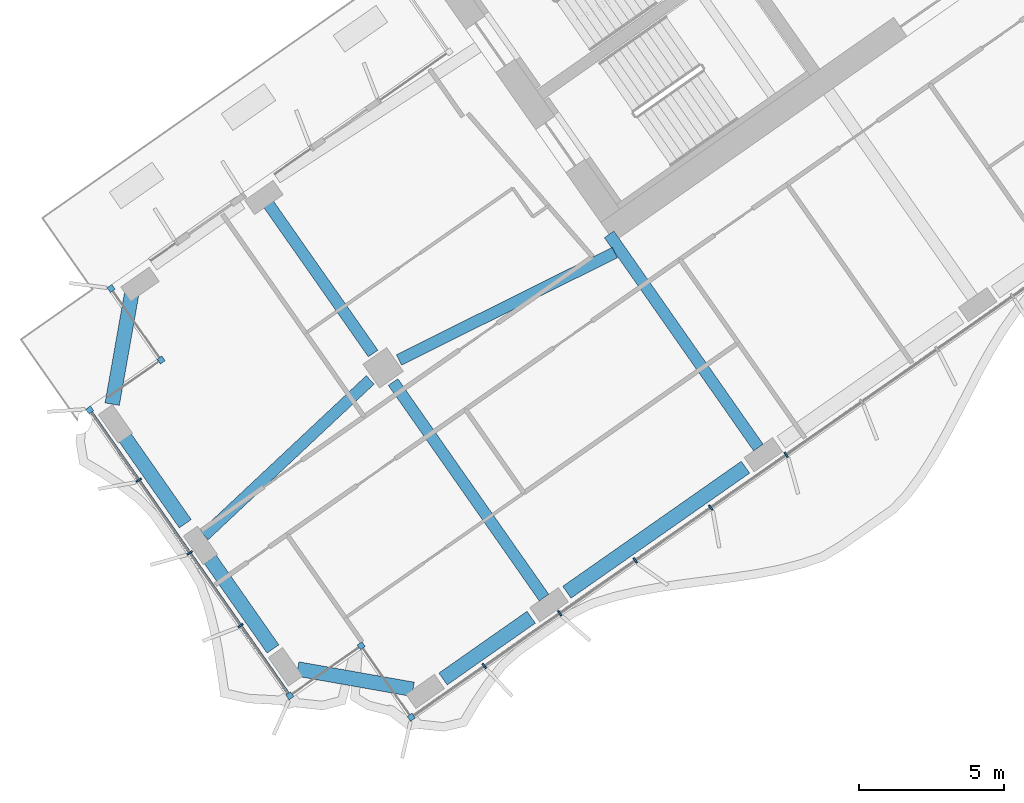
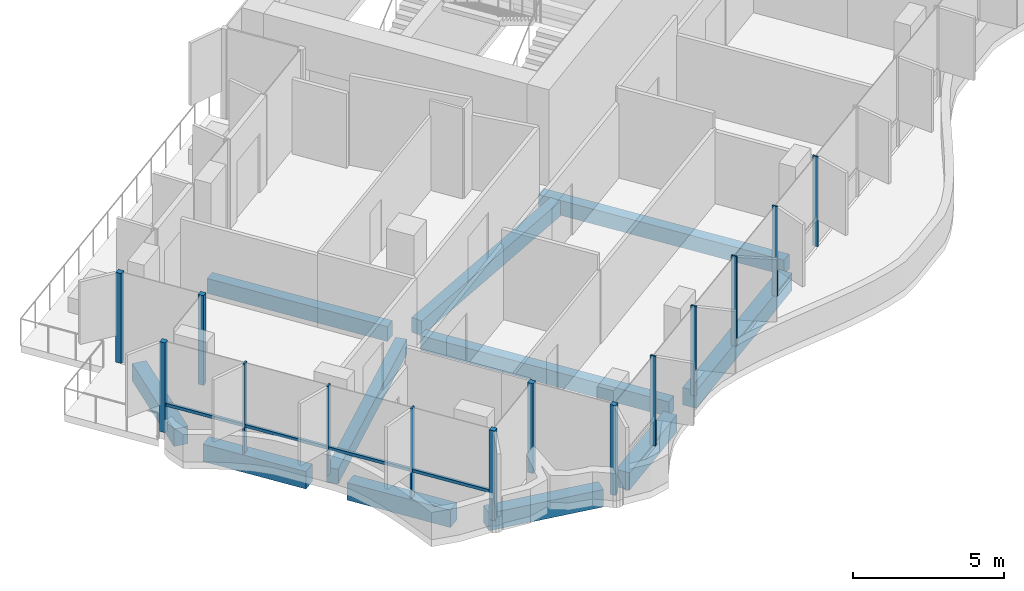
# One storey, part 2 of 24: 15 members, 11 beams, 1 element without a shape of its own.
"""IFC4 building model written with IfcOpenShell, lengths in metres."""

from ifc_helpers import new_model, si_unit, direction, frame, origin, origin_2d, place, context, subcontext, project, spatial, rectangle, extrude, material, material_profile, profile_set, type_object, element, aggregate, save


model = new_model("IFC4")

# Units and contexts
model_context = context("Model", 3, precision=1e-05, world=origin(), true_north=direction((0.0, 1.0)))
body_context = subcontext(model_context, "Body", "Model", "MODEL_VIEW")
ifc_project = project(units=[si_unit("LENGTHUNIT", "METRE"), si_unit("AREAUNIT", "SQUARE_METRE"), si_unit("VOLUMEUNIT", "CUBIC_METRE"), si_unit("PLANEANGLEUNIT", "RADIAN"), si_unit("MASSUNIT", "GRAM", prefix="KILO")], contexts=[model_context])

# Site, building, storey
site_placement = place(None, origin())
site = spatial("IfcSite", under=ifc_project, at=site_placement, CompositionType="ELEMENT")
building_placement = place(site_placement, origin())
building = spatial("IfcBuilding", under=site, at=building_placement, Name="Tel Ilan Convention Tower", CompositionType="ELEMENT")
storey_placement = place(building_placement, frame((0.0, 0.0, 132.0)))
storey = spatial("IfcBuildingStorey", under=building, at=storey_placement, Name="L29", CompositionType="ELEMENT", Elevation=132.0)

# Beams
ifc_material_1 = material(Name="Concrete C40/50", Category="concrete")
ifc_material_profile_1 = material_profile(ifc_material_1, rectangle(XDim=0.39990234375, YDim=0.60009765625, at=origin_2d()), Name="RC 400x600")
ifc_profile_set_1 = profile_set([ifc_material_profile_1], Name="Concrete C40/50")
beam_type_1 = type_object("IfcBeamType", Name="Beam RC 400x600 Concrete C40/50", PredefinedType="BEAM", material=ifc_profile_set_1)
beam_1_placement = place(storey_placement, frame((-16.58203125, -23.391357421875, -0.580078125), z_axis=(-0.573584999642, 0.819146048141, 0.0), x_axis=(-0.819146048141, -0.573584999642, 0.0)))
element("IfcBeam", 1, at=beam_1_placement, inside=storey, type_object=beam_type_1, Name="L29 beam W-W-F3-core", PredefinedType="BEAM", context=body_context, shape_type="SweptSolid", body=[
    extrude(rectangle(XDim=0.39990234375, YDim=0.60009765625, at=origin_2d()), origin(), (0.0, 0.0, 1.0), 8.949951171875),
])
beam_2_placement = place(storey_placement, frame((-21.52099609375, -16.686279296875, -0.580078125), z_axis=(-0.895402478384, -0.445257680117, 0.0), x_axis=(0.445257680117, -0.895402478384, 0.0)))
element("IfcBeam", 2, at=beam_2_placement, inside=storey, type_object=beam_type_1, Name="L29 beam W-core-W-M4", PredefinedType="BEAM", context=body_context, shape_type="SweptSolid", body=[
    extrude(rectangle(XDim=0.39990234375, YDim=0.60009765625, at=origin_2d()), origin(), (0.0, 0.0, 1.0), 8.292724609375),
])
beam_3_placement = place(storey_placement, frame((-29.931640625, -21.063232421875, -0.580078125), z_axis=(-0.729504139822, -0.683976395779, 0.0), x_axis=(0.683976395779, -0.729504139822, 0.0)))
element("IfcBeam", 3, at=beam_3_placement, inside=storey, type_object=beam_type_1, Name="L29 beam W-W-M4-end", PredefinedType="BEAM", context=body_context, shape_type="SweptSolid", body=[
    extrude(rectangle(XDim=0.39990234375, YDim=0.60009765625, at=origin_2d()), origin(), (0.0, 0.0, 1.0), 7.8291015625),
])
beam_4_placement = place(storey_placement, frame((-29.145263671875, -21.14013671875, -0.580078125), z_axis=(0.573549245583, -0.819171082798, 0.0), x_axis=(0.819171082798, 0.573549245583, 0.0)))
element("IfcBeam", 4, at=beam_4_placement, inside=storey, type_object=beam_type_1, Name="L29 beam W-W-M4-W-F4", PredefinedType="BEAM", context=body_context, shape_type="SweptSolid", body=[
    extrude(rectangle(XDim=0.39990234375, YDim=0.60009765625, at=origin_2d()), origin(), (0.0, 0.0, 1.0), 9.050048828125),
])
beam_5_placement = place(storey_placement, frame((-29.83349609375, -20.1572265625, -0.580078125), z_axis=(-0.573582036438, 0.819148123037, 0.0), x_axis=(-0.819148123037, -0.573582036438, 0.0)))
element("IfcBeam", 5, at=beam_5_placement, inside=storey, type_object=beam_type_1, Name="L29 beam W-W-M4-W-B4", PredefinedType="BEAM", context=body_context, shape_type="SweptSolid", body=[
    extrude(rectangle(XDim=0.39990234375, YDim=0.60009765625, at=origin_2d()), origin(), (0.0, 0.0, 1.0), 6.570556640625),
])
ifc_material_2 = material(Name="Concrete C40/50", Category="concrete")
ifc_material_profile_2 = material_profile(ifc_material_2, rectangle(XDim=0.5, YDim=0.699951171875, at=origin_2d()), Name="RC 500x700")
ifc_profile_set_2 = profile_set([ifc_material_profile_2], Name="Concrete C40/50")
beam_type_2 = type_object("IfcBeamType", Name="Beam RC 500x700 Concrete C40/50", PredefinedType="BEAM", material=ifc_profile_set_2)
beam_6_placement = place(storey_placement, frame((-17.0244140625, -24.0673828125, -0.6298828125), z_axis=(-0.81915238829, -0.573575945067, 0.0), x_axis=(0.573575945067, -0.81915238829, 0.0)))
element("IfcBeam", 6, at=beam_6_placement, inside=storey, type_object=beam_type_2, Name="L29 beam W-W-F3-W-F4", PredefinedType="BEAM", context=body_context, shape_type="SweptSolid", body=[
    extrude(rectangle(XDim=0.5, YDim=0.699951171875, at=origin_2d()), origin(), (0.0, 0.0, 1.0), 7.5),
])
beam_7_placement = place(storey_placement, frame((-24.396728515625, -29.2294921875, -0.6298828125), z_axis=(-0.819132709951, -0.573604047656, 0.0), x_axis=(0.573604047656, -0.819132709951, 0.0)))
element("IfcBeam", 7, at=beam_7_placement, inside=storey, type_object=beam_type_2, Name="L29 beam W-W-F4-W-FC", PredefinedType="BEAM", context=body_context, shape_type="SweptSolid", body=[
    extrude(rectangle(XDim=0.5, YDim=0.699951171875, at=origin_2d()), origin(), (0.0, 0.0, 1.0), 3.699951171875),
])
beam_8_placement = place(storey_placement, frame((-28.459716796875, -31.708251953125, -0.6298828125), z_axis=(-0.984806721117, 0.173654029734, 0.0), x_axis=(-0.173654029734, -0.984806721117, 0.0)))
element("IfcBeam", 8, at=beam_8_placement, inside=storey, type_object=beam_type_2, Name="L29 beam W-W-FC-W-E1", PredefinedType="BEAM", context=body_context, shape_type="SweptSolid", body=[
    extrude(rectangle(XDim=0.5, YDim=0.699951171875, at=origin_2d()), origin(), (0.0, 0.0, 1.0), 4.03076171875),
])
beam_9_placement = place(storey_placement, frame((-33.277099609375, -30.3203125, -0.6298828125), z_axis=(-0.57355384684, 0.819167861171, 0.0), x_axis=(-0.819167861171, -0.57355384684, 0.0)))
element("IfcBeam", 9, at=beam_9_placement, inside=storey, type_object=beam_type_2, Name="L29 beam W-W-E1-W-E2", PredefinedType="BEAM", context=body_context, shape_type="SweptSolid", body=[
    extrude(rectangle(XDim=0.5, YDim=0.699951171875, at=origin_2d()), origin(), (0.0, 0.0, 1.0), 3.76025390625),
])
beam_10_placement = place(storey_placement, frame((-36.294189453125, -26.01123046875, -0.6298828125), z_axis=(-0.573597411904, 0.819137356649, 0.0), x_axis=(-0.819137356649, -0.573597411904, 0.0)))
element("IfcBeam", 10, at=beam_10_placement, inside=storey, type_object=beam_type_2, Name="L29 beam W-W-E2-W-E3", PredefinedType="BEAM", context=body_context, shape_type="SweptSolid", body=[
    extrude(rectangle(XDim=0.5, YDim=0.699951171875, at=origin_2d()), origin(), (0.0, 0.0, 1.0), 3.760498046875),
])
beam_11_placement = place(storey_placement, frame((-38.8076171875, -21.898681640625, -0.6298828125), z_axis=(0.173605641124, 0.984815252405, 0.0), x_axis=(-0.984815252405, 0.173605641124, 0.0)))
element("IfcBeam", 11, at=beam_11_placement, inside=storey, type_object=beam_type_2, Name="L29 beam W-W-E3-W-BC", PredefinedType="BEAM", context=body_context, shape_type="SweptSolid", body=[
    extrude(rectangle(XDim=0.5, YDim=0.699951171875, at=origin_2d()), origin(), (0.0, 0.0, 1.0), 4.030517578125),
])

# Curtain wall, members
ifc_material_3 = material(Name="Aluminium, bronze anodised", Category="aluminium")
curtain_wall_type = type_object("IfcCurtainWallType", Name="CW4 STICK CURTAIN WALL, OFFICE TINTED GLASS", PredefinedType="NOTDEFINED", material=ifc_material_3)
curtain_wall_placement = place(storey_placement, origin())
curtain_wall = element("IfcCurtainWall", 12, at=curtain_wall_placement, inside=storey, type_object=curtain_wall_type, Name="Curtain wall CW4-23.10", PredefinedType="NOTDEFINED")
ifc_material_4 = material(Name="Aluminium, bronze anodised", Category="aluminium")
ifc_material_profile_3 = material_profile(ifc_material_4, rectangle(XDim=0.199951171875, YDim=0.199951171875, at=origin_2d()), Name="CW CORNER MULLION 200x200")
ifc_profile_set_3 = profile_set([ifc_material_profile_3], Name="Aluminium, bronze anodised")
member_type_1 = type_object("IfcMemberType", Name="CW CORNER MULLION 200x200", PredefinedType="MULLION", material=ifc_profile_set_3)
member_1_placement = place(storey_placement, frame((-38.845458984375, -17.922119140625, 0.0), z_axis=(0.0, 0.0, 1.0), x_axis=(-0.819152044289, -0.573576436351, 0.0)))
member_1 = element("IfcMember", 13, at=member_1_placement, type_object=member_type_1, Name="Corner mullion", PredefinedType="MULLION", context=body_context, shape_type="SweptSolid", body=[
    extrude(rectangle(XDim=0.199951171875, YDim=0.199951171875, at=origin_2d()), origin(), (0.0, 0.0, 1.0), 3.6201171875),
])
member_2_placement = place(storey_placement, frame((-37.124755859375, -20.37939453125, 0.0), z_axis=(0.0, 0.0, 1.0), x_axis=(0.573576436351, -0.819152044289, 0.0)))
member_2 = element("IfcMember", 14, at=member_2_placement, type_object=member_type_1, Name="Corner mullion", PredefinedType="MULLION", context=body_context, shape_type="SweptSolid", body=[
    extrude(rectangle(XDim=0.199951171875, YDim=0.199951171875, at=origin_2d()), origin(), (0.0, 0.0, 1.0), 3.6201171875),
])
member_3_placement = place(storey_placement, frame((-39.582275390625, -22.10009765625, 0.0), z_axis=(0.0, 0.0, 1.0), x_axis=(-0.819152044289, -0.573576436351, 0.0)))
member_3 = element("IfcMember", 15, at=member_3_placement, type_object=member_type_1, Name="Corner mullion", PredefinedType="MULLION", context=body_context, shape_type="SweptSolid", body=[
    extrude(rectangle(XDim=0.199951171875, YDim=0.199951171875, at=origin_2d()), origin(), (0.0, 0.0, 1.0), 3.6201171875),
])
member_4_placement = place(storey_placement, frame((-32.69921875, -31.929931640625, 0.0), z_axis=(0.0, 0.0, 1.0), x_axis=(0.573576436351, -0.819152044289, 0.0)))
member_4 = element("IfcMember", 16, at=member_4_placement, type_object=member_type_1, Name="Corner mullion", PredefinedType="MULLION", context=body_context, shape_type="SweptSolid", body=[
    extrude(rectangle(XDim=0.199951171875, YDim=0.199951171875, at=origin_2d()), origin(), (0.0, 0.0, 1.0), 3.6201171875),
])
member_5_placement = place(storey_placement, frame((-30.241943359375, -30.209228515625, 0.0), z_axis=(0.0, 0.0, 1.0), x_axis=(0.819152044289, 0.573576436351, 0.0)))
member_5 = element("IfcMember", 17, at=member_5_placement, type_object=member_type_1, Name="Corner mullion", PredefinedType="MULLION", context=body_context, shape_type="SweptSolid", body=[
    extrude(rectangle(XDim=0.199951171875, YDim=0.199951171875, at=origin_2d()), origin(), (0.0, 0.0, 1.0), 3.6201171875),
])
member_6_placement = place(storey_placement, frame((-28.52099609375, -32.666748046875, 0.0), z_axis=(0.0, 0.0, 1.0), x_axis=(0.573576436351, -0.819152044289, 0.0)))
member_6 = element("IfcMember", 18, at=member_6_placement, type_object=member_type_1, Name="Corner mullion", PredefinedType="MULLION", context=body_context, shape_type="SweptSolid", body=[
    extrude(rectangle(XDim=0.199951171875, YDim=0.199951171875, at=origin_2d()), origin(), (0.0, 0.0, 1.0), 3.6201171875),
])
ifc_material_5 = material(Name="Aluminium, bronze anodised", Category="aluminium")
ifc_material_profile_4 = material_profile(ifc_material_5, rectangle(XDim=0.06005859375, YDim=0.199951171875, at=origin_2d()), Name="CW MULLION 60x200")
ifc_profile_set_4 = profile_set([ifc_material_profile_4], Name="Aluminium, bronze anodised")
member_type_2 = type_object("IfcMemberType", Name="CW MULLION 60x200", PredefinedType="MULLION", material=ifc_profile_set_4)
member_7_placement = place(storey_placement, frame((-37.89013671875, -24.5166015625, 0.0), z_axis=(0.0, 0.0, 1.0), x_axis=(0.573576436351, -0.819152044289, 0.0)))
member_7 = element("IfcMember", 19, at=member_7_placement, type_object=member_type_2, Name="Mullion", PredefinedType="MULLION", context=body_context, shape_type="SweptSolid", body=[
    extrude(rectangle(XDim=0.06005859375, YDim=0.199951171875, at=origin_2d()), origin(), (0.0, 0.0, 1.0), 3.6201171875),
])
member_8_placement = place(storey_placement, frame((-36.140869140625, -27.01513671875, 0.0), z_axis=(0.0, 0.0, 1.0), x_axis=(0.573576436351, -0.819152044289, 0.0)))
member_8 = element("IfcMember", 20, at=member_8_placement, type_object=member_type_2, Name="Mullion", PredefinedType="MULLION", context=body_context, shape_type="SweptSolid", body=[
    extrude(rectangle(XDim=0.06005859375, YDim=0.199951171875, at=origin_2d()), origin(), (0.0, 0.0, 1.0), 3.6201171875),
])
member_9_placement = place(storey_placement, frame((-34.391357421875, -29.513427734375, 0.0), z_axis=(0.0, 0.0, 1.0), x_axis=(0.573576436351, -0.819152044289, 0.0)))
member_9 = element("IfcMember", 21, at=member_9_placement, type_object=member_type_2, Name="Mullion", PredefinedType="MULLION", context=body_context, shape_type="SweptSolid", body=[
    extrude(rectangle(XDim=0.06005859375, YDim=0.199951171875, at=origin_2d()), origin(), (0.0, 0.0, 1.0), 3.6201171875),
])
member_10_placement = place(storey_placement, frame((-26.008056640625, -30.906982421875, 0.0), z_axis=(0.0, 0.0, 1.0), x_axis=(0.819152044289, 0.573576436351, 0.0)))
member_10 = element("IfcMember", 22, at=member_10_placement, type_object=member_type_2, Name="Mullion", PredefinedType="MULLION", context=body_context, shape_type="SweptSolid", body=[
    extrude(rectangle(XDim=0.06005859375, YDim=0.199951171875, at=origin_2d()), origin(), (0.0, 0.0, 1.0), 3.6201171875),
])
member_11_placement = place(storey_placement, frame((-23.412841796875, -29.08984375, 0.0), z_axis=(0.0, 0.0, 1.0), x_axis=(0.819152044289, 0.573576436351, 0.0)))
member_11 = element("IfcMember", 23, at=member_11_placement, type_object=member_type_2, Name="Mullion", PredefinedType="MULLION", context=body_context, shape_type="SweptSolid", body=[
    extrude(rectangle(XDim=0.06005859375, YDim=0.199951171875, at=origin_2d()), origin(), (0.0, 0.0, 1.0), 3.6201171875),
])
member_12_placement = place(storey_placement, frame((-20.81787109375, -27.27294921875, 0.0), z_axis=(0.0, 0.0, 1.0), x_axis=(0.819152044289, 0.573576436351, 0.0)))
member_12 = element("IfcMember", 24, at=member_12_placement, type_object=member_type_2, Name="Mullion", PredefinedType="MULLION", context=body_context, shape_type="SweptSolid", body=[
    extrude(rectangle(XDim=0.06005859375, YDim=0.199951171875, at=origin_2d()), origin(), (0.0, 0.0, 1.0), 3.6201171875),
])
member_13_placement = place(storey_placement, frame((-18.222900390625, -25.455810546875, 0.0), z_axis=(0.0, 0.0, 1.0), x_axis=(0.819152044289, 0.573576436351, 0.0)))
member_13 = element("IfcMember", 25, at=member_13_placement, type_object=member_type_2, Name="Mullion", PredefinedType="MULLION", context=body_context, shape_type="SweptSolid", body=[
    extrude(rectangle(XDim=0.06005859375, YDim=0.199951171875, at=origin_2d()), origin(), (0.0, 0.0, 1.0), 3.6201171875),
])
member_14_placement = place(storey_placement, frame((-15.627685546875, -23.638671875, 0.0), z_axis=(0.0, 0.0, 1.0), x_axis=(0.819152044289, 0.573576436351, 0.0)))
member_14 = element("IfcMember", 26, at=member_14_placement, type_object=member_type_2, Name="Mullion", PredefinedType="MULLION", context=body_context, shape_type="SweptSolid", body=[
    extrude(rectangle(XDim=0.06005859375, YDim=0.199951171875, at=origin_2d()), origin(), (0.0, 0.0, 1.0), 3.6201171875),
])
ifc_material_6 = material(Name="Aluminium, bronze anodised", Category="aluminium")
ifc_material_profile_5 = material_profile(ifc_material_6, rectangle(XDim=0.10009765625, YDim=0.1201171875, at=origin_2d()), Name="CW TRANSOM 100x120")
ifc_profile_set_5 = profile_set([ifc_material_profile_5], Name="Aluminium, bronze anodised")
member_type_3 = type_object("IfcMemberType", Name="CW TRANSOM 100x120", PredefinedType="USERDEFINED", material=ifc_profile_set_5)
member_15_placement = place(storey_placement, frame((-39.52490234375, -22.18212890625, 1.10009765625), z_axis=(0.573581755582, -0.819148319698, 0.0), x_axis=(0.819148319698, 0.573581755582, 0.0)))
member_15 = element("IfcMember", 27, at=member_15_placement, type_object=member_type_3, Name="Transom", ObjectType="TRANSOM", PredefinedType="USERDEFINED", context=body_context, shape_type="SweptSolid", body=[
    extrude(rectangle(XDim=0.10009765625, YDim=0.1201171875, at=origin_2d()), origin(), (0.0, 0.0, 1.0), 11.800048828125),
])
aggregate(curtain_wall, [member_1, member_2, member_3, member_7, member_8, member_9, member_4, member_15, member_5, member_6, member_10, member_11, member_12, member_13, member_14])

save(model, "model.ifc")
